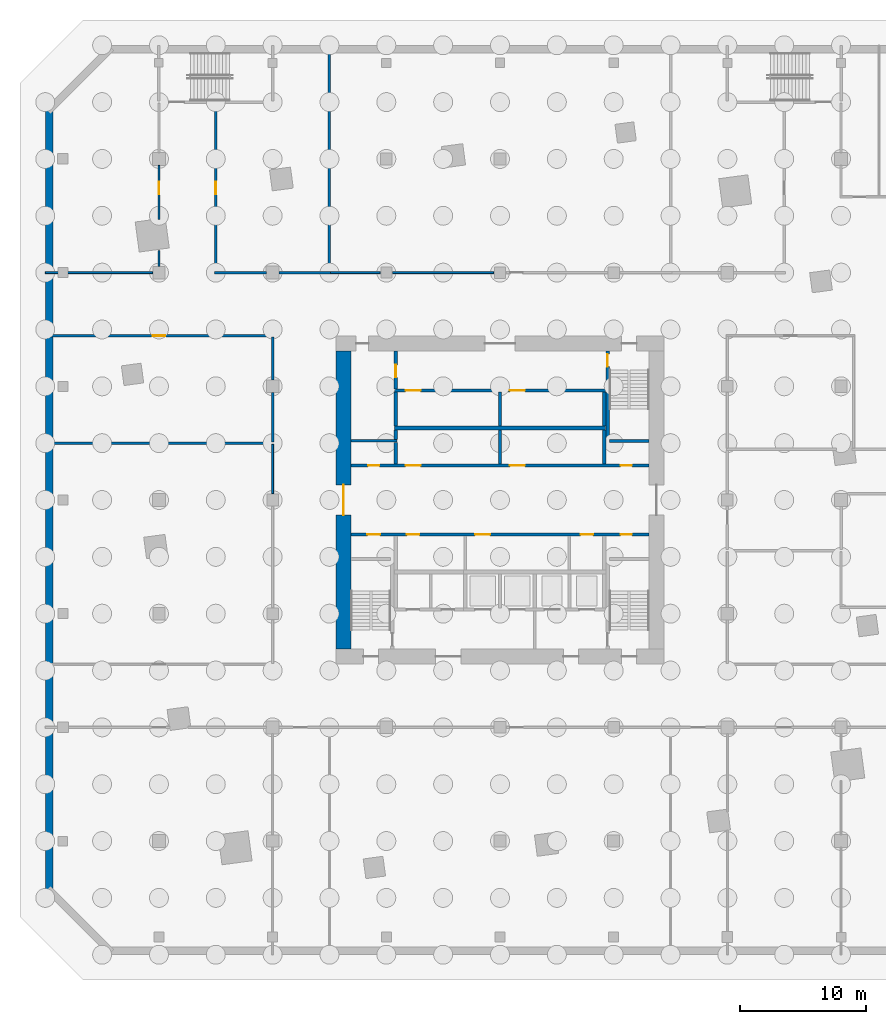
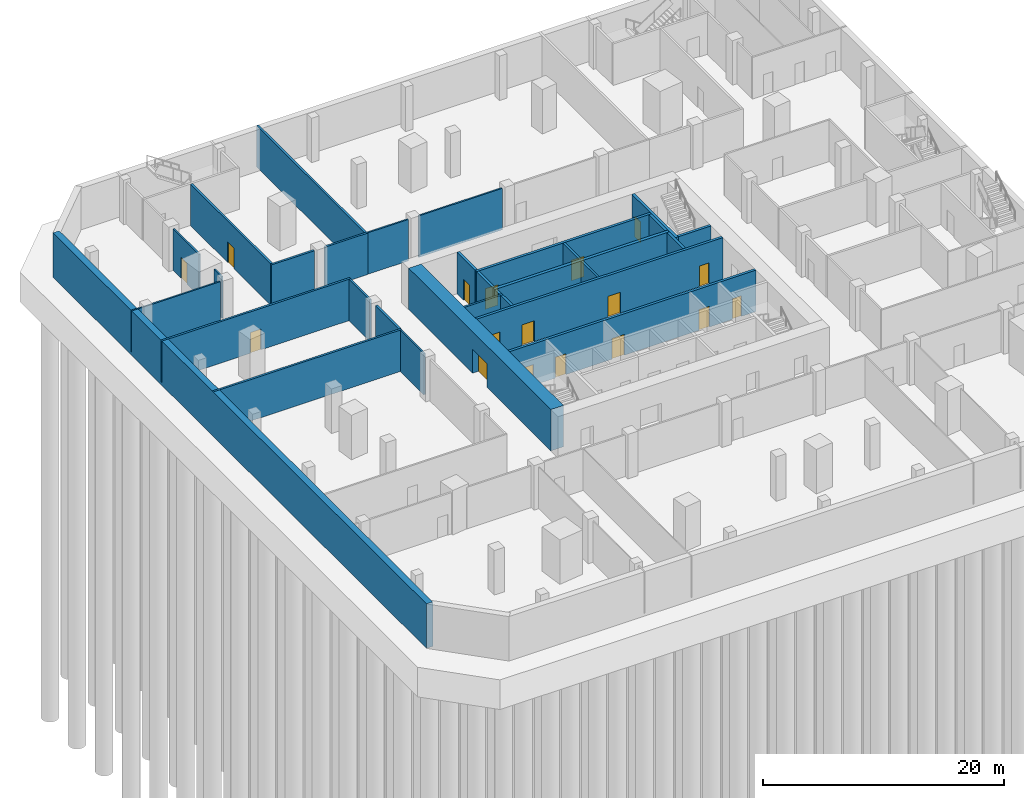
# One storey, part 5 of 12: 31 walls, 17 doors, 17 openings.
"""IFC4 building model written with IfcOpenShell, lengths in metres."""

from ifc_helpers import new_model, si_unit, direction, frame, frame_2d, origin, place, context, subcontext, project, spatial, rectangle, extrude, material, layer, layer_set, type_object, element, fill, save


model = new_model("IFC4")

# Units and contexts
model_context = context("Model", 3, precision=1e-05, world=origin(), true_north=direction((0.0, 1.0)))
body_context = subcontext(model_context, "Body", "Model", "MODEL_VIEW")
ifc_project = project(units=[si_unit("LENGTHUNIT", "METRE"), si_unit("AREAUNIT", "SQUARE_METRE"), si_unit("VOLUMEUNIT", "CUBIC_METRE"), si_unit("PLANEANGLEUNIT", "RADIAN"), si_unit("MASSUNIT", "GRAM", prefix="KILO")], contexts=[model_context])

# Site, building, storey
site_placement = place(None, origin())
site = spatial("IfcSite", under=ifc_project, at=site_placement, CompositionType="ELEMENT")
building_placement = place(site_placement, origin())
building = spatial("IfcBuilding", under=site, at=building_placement, Name="Dilmun Exchange Tower", CompositionType="ELEMENT")
storey_placement = place(building_placement, frame((0.0, 0.0, -9.0)))
storey = spatial("IfcBuildingStorey", under=building, at=storey_placement, Name="B2", CompositionType="ELEMENT", Elevation=-9.0)

# Walls
ifc_material_1 = material(Name="Concrete C40/50", Category="concrete")
ifc_layer_1 = layer(ifc_material_1, 0.199951171875)
ifc_layer_set_1 = layer_set([ifc_layer_1], Name="Concrete C40/50")
wall_type_1 = type_object("IfcWallType", Name="Core partition wall 200", PredefinedType="PARTITIONING", material=ifc_layer_set_1)
wall_1_placement = place(storey_placement, frame((0.0, 2.85498046875, 0.0), z_axis=(0.0, 0.0, 1.0), x_axis=(0.0, 1.0, 0.0)))
element("IfcWall", 1, at=wall_1_placement, inside=storey, type_object=wall_type_1, Name="B2 core partition wall 13", PredefinedType="PARTITIONING", context=body_context, shape_type="SweptSolid", body=[
    extrude(rectangle(XDim=2.68994140625, YDim=0.199951171875, at=frame_2d((1.344970703125, 0.0))), origin(), (0.0, 0.0, 1.0), 4.199951171875),
])
wall_2_placement = place(storey_placement, frame((-11.794921875, 4.675048828125, 0.0), z_axis=(0.0, 0.0, 1.0), x_axis=(1.0, 0.0, 0.0)))
element("IfcWall", 2, at=wall_2_placement, inside=storey, type_object=wall_type_1, Name="B2 core partition wall 15", PredefinedType="PARTITIONING", context=body_context, shape_type="SweptSolid", body=[
    extrude(rectangle(XDim=3.64501953125, YDim=0.199951171875, at=frame_2d((1.822509765625, 0.0))), origin(), (0.0, 0.0, 1.0), 4.199951171875),
])
wall_3_placement = place(storey_placement, frame((0.0, 5.85498046875, 0.0), z_axis=(0.0, 0.0, 1.0), x_axis=(0.0, 1.0, 0.0)))
element("IfcWall", 3, at=wall_3_placement, inside=storey, type_object=wall_type_1, Name="B2 core partition wall 19", PredefinedType="PARTITIONING", context=body_context, shape_type="SweptSolid", body=[
    extrude(rectangle(XDim=2.68994140625, YDim=0.199951171875, at=frame_2d((1.344970703125, 0.0))), origin(), (0.0, 0.0, 1.0), 4.199951171875),
])

# Wall, openings, doors
ifc_layer_2 = layer(ifc_material_1, 0.25)
ifc_layer_set_2 = layer_set([ifc_layer_2], Name="Concrete C40/50")
wall_type_2 = type_object("IfcWallType", Name="Core partition wall 250", PredefinedType="PARTITIONING", material=ifc_layer_set_2)
wall_4_placement = place(storey_placement, frame((-11.794921875, -2.72509765625, 0.0), z_axis=(0.0, 0.0, 1.0), x_axis=(1.0, 0.0, 0.0)))
wall_4 = element("IfcWall", 4, at=wall_4_placement, inside=storey, type_object=wall_type_2, Name="B2 core partition wall 10", PredefinedType="PARTITIONING", context=body_context, shape_type="SweptSolid", body=[
    extrude(rectangle(XDim=23.58984375, YDim=0.25, at=frame_2d((11.794921875, 0.0))), origin(), (0.0, 0.0, 1.0), 4.199951171875),
])
opening_1_placement = place(wall_4_placement, frame((1.294921875, 0.0, 0.0)))
opening_1 = element("IfcOpeningElement", 5, at=opening_1_placement, cuts=wall_4, Name="Opening CD4", PredefinedType="OPENING", context=body_context, shape_type="SweptSolid", body=[
    extrude(rectangle(XDim=1.0, YDim=2.10009765625, at=frame_2d((0.5, 1.050048828125))), frame((0.0, 0.135009765625, 0.0), z_axis=(0.0, -1.0, 0.0), x_axis=(1.0, 0.0, 0.0)), (0.0, 0.0, 1.0), 0.27001953125),
])
opening_2_placement = place(wall_4_placement, frame((18.169921875, 0.0, 0.0)))
opening_2 = element("IfcOpeningElement", 6, at=opening_2_placement, cuts=wall_4, Name="Opening CD4", PredefinedType="OPENING", context=body_context, shape_type="SweptSolid", body=[
    extrude(rectangle(XDim=1.0, YDim=2.10009765625, at=frame_2d((0.5, 1.050048828125))), frame((0.0, 0.135009765625, 0.0), z_axis=(0.0, -1.0, 0.0), x_axis=(1.0, 0.0, 0.0)), (0.0, 0.0, 1.0), 0.27001953125),
])
opening_3_placement = place(wall_4_placement, frame((21.344970703125, 0.0, 0.0)))
opening_3 = element("IfcOpeningElement", 7, at=opening_3_placement, cuts=wall_4, Name="Opening CD6", PredefinedType="OPENING", context=body_context, shape_type="SweptSolid", body=[
    extrude(rectangle(XDim=0.89990234375, YDim=2.10009765625, at=frame_2d((0.449951171875, 1.050048828125))), frame((0.0, 0.135009765625, 0.0), z_axis=(0.0, -1.0, 0.0), x_axis=(1.0, 0.0, 0.0)), (0.0, 0.0, 1.0), 0.27001953125),
])
opening_4_placement = place(wall_4_placement, frame((4.419921875, 0.0, 0.0)))
opening_4 = element("IfcOpeningElement", 8, at=opening_4_placement, cuts=wall_4, Name="Opening CD4", PredefinedType="OPENING", context=body_context, shape_type="SweptSolid", body=[
    extrude(rectangle(XDim=1.0, YDim=2.10009765625, at=frame_2d((0.5, 1.050048828125))), frame((0.0, 0.135009765625, 0.0), z_axis=(0.0, -1.0, 0.0), x_axis=(1.0, 0.0, 0.0)), (0.0, 0.0, 1.0), 0.27001953125),
])
opening_5_placement = place(wall_4_placement, frame((9.820068359375, 0.0, 0.0)))
opening_5 = element("IfcOpeningElement", 9, at=opening_5_placement, cuts=wall_4, Name="Opening CD3", PredefinedType="OPENING", context=body_context, shape_type="SweptSolid", body=[
    extrude(rectangle(XDim=1.199951171875, YDim=2.10009765625, at=frame_2d((0.60009765625, 1.050048828125))), frame((0.0, 0.135009765625, 0.0), z_axis=(0.0, -1.0, 0.0), x_axis=(1.0, 0.0, 0.0)), (0.0, 0.0, 1.0), 0.27001953125),
])
ifc_material_2 = material(Name="Fire-rated steel door set", Category="steel")
door_type_1 = type_object("IfcDoorType", Name="Core room door 1000x2100", OperationType="SINGLE_SWING_LEFT", PredefinedType="DOOR", material=ifc_material_2)
door_1_placement = place(opening_1_placement, origin())
door_1 = element("IfcDoor", 10, at=door_1_placement, inside=storey, type_object=door_type_1, Name="B2 door Accessible WC", OperationType="SINGLE_SWING_LEFT", OverallHeight=2.10009765625, OverallWidth=1.0, PredefinedType="DOOR", context=body_context, shape_type="SweptSolid", body=[
    extrude(rectangle(XDim=1.0, YDim=2.10009765625, at=frame_2d((0.5, 1.050048828125))), frame((0.0, 0.02490234375, 0.0), z_axis=(0.0, -1.0, 0.0), x_axis=(1.0, 0.0, 0.0)), (0.0, 0.0, 1.0), 0.050048828125),
])
fill(opening_1, door_1)
door_2_placement = place(opening_2_placement, origin())
door_2 = element("IfcDoor", 11, at=door_2_placement, inside=storey, type_object=door_type_1, Name="B2 door Cleaners' store", OperationType="SINGLE_SWING_LEFT", OverallHeight=2.10009765625, OverallWidth=1.0, PredefinedType="DOOR", context=body_context, shape_type="SweptSolid", body=[
    extrude(rectangle(XDim=1.0, YDim=2.10009765625, at=frame_2d((0.5, 1.050048828125))), frame((0.0, 0.02490234375, 0.0), z_axis=(0.0, -1.0, 0.0), x_axis=(1.0, 0.0, 0.0)), (0.0, 0.0, 1.0), 0.050048828125),
])
fill(opening_2, door_2)
door_3_placement = place(opening_4_placement, origin())
door_3 = element("IfcDoor", 12, at=door_3_placement, inside=storey, type_object=door_type_1, Name="B2 door Archive store", OperationType="SINGLE_SWING_LEFT", OverallHeight=2.10009765625, OverallWidth=1.0, PredefinedType="DOOR", context=body_context, shape_type="SweptSolid", body=[
    extrude(rectangle(XDim=1.0, YDim=2.10009765625, at=frame_2d((0.5, 1.050048828125))), frame((0.0, 0.02490234375, 0.0), z_axis=(0.0, -1.0, 0.0), x_axis=(1.0, 0.0, 0.0)), (0.0, 0.0, 1.0), 0.050048828125),
])
fill(opening_4, door_3)
door_type_2 = type_object("IfcDoorType", Name="Core room door 900x2100", OperationType="SINGLE_SWING_LEFT", PredefinedType="DOOR", material=ifc_material_2)
door_4_placement = place(opening_3_placement, origin())
door_4 = element("IfcDoor", 13, at=door_4_placement, inside=storey, type_object=door_type_2, Name="B2 door Comms riser", OperationType="SINGLE_SWING_LEFT", OverallHeight=2.10009765625, OverallWidth=0.89990234375, PredefinedType="DOOR", context=body_context, shape_type="SweptSolid", body=[
    extrude(rectangle(XDim=0.89990234375, YDim=2.10009765625, at=frame_2d((0.449951171875, 1.050048828125))), frame((0.0, 0.02490234375, 0.0), z_axis=(0.0, -1.0, 0.0), x_axis=(1.0, 0.0, 0.0)), (0.0, 0.0, 1.0), 0.050048828125),
])
fill(opening_3, door_4)
door_type_3 = type_object("IfcDoorType", Name="Stair exit door 1200x2100", OperationType="SINGLE_SWING_LEFT", PredefinedType="DOOR", material=ifc_material_2)
door_5_placement = place(opening_5_placement, origin())
door_5 = element("IfcDoor", 14, at=door_5_placement, inside=storey, type_object=door_type_3, Name="B2 door Building management office", OperationType="SINGLE_SWING_LEFT", OverallHeight=2.10009765625, OverallWidth=1.199951171875, PredefinedType="DOOR", context=body_context, shape_type="SweptSolid", body=[
    extrude(rectangle(XDim=1.199951171875, YDim=2.10009765625, at=frame_2d((0.60009765625, 1.050048828125))), frame((0.0, 0.02490234375, 0.0), z_axis=(0.0, -1.0, 0.0), x_axis=(1.0, 0.0, 0.0)), (0.0, 0.0, 1.0), 0.050048828125),
])
fill(opening_5, door_5)

wall_5_placement = place(storey_placement, frame((-11.794921875, 2.72509765625, 0.0), z_axis=(0.0, 0.0, 1.0), x_axis=(1.0, 0.0, 0.0)))
wall_5 = element("IfcWall", 15, at=wall_5_placement, inside=storey, type_object=wall_type_2, Name="B2 core partition wall 11", PredefinedType="PARTITIONING", context=body_context, shape_type="SweptSolid", body=[
    extrude(rectangle(XDim=23.58984375, YDim=0.25, at=frame_2d((11.794921875, 0.0))), origin(), (0.0, 0.0, 1.0), 4.199951171875),
])
opening_6_placement = place(wall_5_placement, frame((21.344970703125, 0.0, 0.0)))
opening_6 = element("IfcOpeningElement", 16, at=opening_6_placement, cuts=wall_5, Name="Opening CD6", PredefinedType="OPENING", context=body_context, shape_type="SweptSolid", body=[
    extrude(rectangle(XDim=0.89990234375, YDim=2.10009765625, at=frame_2d((0.449951171875, 1.050048828125))), frame((0.0, 0.135009765625, 0.0), z_axis=(0.0, -1.0, 0.0), x_axis=(1.0, 0.0, 0.0)), (0.0, 0.0, 1.0), 0.27001953125),
])
opening_7_placement = place(wall_5_placement, frame((1.344970703125, 0.0, 0.0)))
opening_7 = element("IfcOpeningElement", 17, at=opening_7_placement, cuts=wall_5, Name="Opening CD6", PredefinedType="OPENING", context=body_context, shape_type="SweptSolid", body=[
    extrude(rectangle(XDim=0.89990234375, YDim=2.10009765625, at=frame_2d((0.449951171875, 1.050048828125))), frame((0.0, 0.135009765625, 0.0), z_axis=(0.0, -1.0, 0.0), x_axis=(1.0, 0.0, 0.0)), (0.0, 0.0, 1.0), 0.27001953125),
])
opening_8_placement = place(wall_5_placement, frame((4.320068359375, 0.0, 0.0)))
opening_8 = element("IfcOpeningElement", 18, at=opening_8_placement, cuts=wall_5, Name="Opening CD3", PredefinedType="OPENING", context=body_context, shape_type="SweptSolid", body=[
    extrude(rectangle(XDim=1.199951171875, YDim=2.10009765625, at=frame_2d((0.60009765625, 1.050048828125))), frame((0.0, 0.135009765625, 0.0), z_axis=(0.0, -1.0, 0.0), x_axis=(1.0, 0.0, 0.0)), (0.0, 0.0, 1.0), 0.27001953125),
])
opening_9_placement = place(wall_5_placement, frame((12.570068359375, 0.0, 0.0)))
opening_9 = element("IfcOpeningElement", 19, at=opening_9_placement, cuts=wall_5, Name="Opening CD3", PredefinedType="OPENING", context=body_context, shape_type="SweptSolid", body=[
    extrude(rectangle(XDim=1.199951171875, YDim=2.10009765625, at=frame_2d((0.60009765625, 1.050048828125))), frame((0.0, 0.135009765625, 0.0), z_axis=(0.0, -1.0, 0.0), x_axis=(1.0, 0.0, 0.0)), (0.0, 0.0, 1.0), 0.27001953125),
])
door_6_placement = place(opening_6_placement, origin())
door_6 = element("IfcDoor", 20, at=door_6_placement, inside=storey, type_object=door_type_2, Name="B2 door Electrical riser", OperationType="SINGLE_SWING_LEFT", OverallHeight=2.10009765625, OverallWidth=0.89990234375, PredefinedType="DOOR", context=body_context, shape_type="SweptSolid", body=[
    extrude(rectangle(XDim=0.89990234375, YDim=2.10009765625, at=frame_2d((0.449951171875, 1.050048828125))), frame((0.0, 0.02490234375, 0.0), z_axis=(0.0, -1.0, 0.0), x_axis=(1.0, 0.0, 0.0)), (0.0, 0.0, 1.0), 0.050048828125),
])
fill(opening_6, door_6)
door_7_placement = place(opening_7_placement, origin())
door_7 = element("IfcDoor", 21, at=door_7_placement, inside=storey, type_object=door_type_2, Name="B2 door Plumbing riser", OperationType="SINGLE_SWING_LEFT", OverallHeight=2.10009765625, OverallWidth=0.89990234375, PredefinedType="DOOR", context=body_context, shape_type="SweptSolid", body=[
    extrude(rectangle(XDim=0.89990234375, YDim=2.10009765625, at=frame_2d((0.449951171875, 1.050048828125))), frame((0.0, 0.02490234375, 0.0), z_axis=(0.0, -1.0, 0.0), x_axis=(1.0, 0.0, 0.0)), (0.0, 0.0, 1.0), 0.050048828125),
])
fill(opening_7, door_7)
door_8_placement = place(opening_8_placement, origin())
door_8 = element("IfcDoor", 22, at=door_8_placement, inside=storey, type_object=door_type_3, Name="B2 door Building management office", OperationType="SINGLE_SWING_LEFT", OverallHeight=2.10009765625, OverallWidth=1.199951171875, PredefinedType="DOOR", context=body_context, shape_type="SweptSolid", body=[
    extrude(rectangle(XDim=1.199951171875, YDim=2.10009765625, at=frame_2d((0.60009765625, 1.050048828125))), frame((0.0, 0.02490234375, 0.0), z_axis=(0.0, -1.0, 0.0), x_axis=(1.0, 0.0, 0.0)), (0.0, 0.0, 1.0), 0.050048828125),
])
fill(opening_8, door_8)
door_9_placement = place(opening_9_placement, origin())
door_9 = element("IfcDoor", 23, at=door_9_placement, inside=storey, type_object=door_type_3, Name="B2 door Tenant meeting suite", OperationType="SINGLE_SWING_LEFT", OverallHeight=2.10009765625, OverallWidth=1.199951171875, PredefinedType="DOOR", context=body_context, shape_type="SweptSolid", body=[
    extrude(rectangle(XDim=1.199951171875, YDim=2.10009765625, at=frame_2d((0.60009765625, 1.050048828125))), frame((0.0, 0.02490234375, 0.0), z_axis=(0.0, -1.0, 0.0), x_axis=(1.0, 0.0, 0.0)), (0.0, 0.0, 1.0), 0.050048828125),
])
fill(opening_9, door_9)

# Walls
wall_6_placement = place(storey_placement, frame((-8.25, 2.85498046875, 0.0), z_axis=(0.0, 0.0, 1.0), x_axis=(0.0, 1.0, 0.0)))
element("IfcWall", 24, at=wall_6_placement, inside=storey, type_object=wall_type_2, Name="B2 core partition wall 12", PredefinedType="PARTITIONING", context=body_context, shape_type="SweptSolid", body=[
    extrude(rectangle(XDim=1.715087890625, YDim=0.25, at=frame_2d((0.857421875, 0.0))), origin(), (0.0, 0.0, 1.0), 4.199951171875),
])
wall_7_placement = place(storey_placement, frame((8.25, 2.85498046875, 0.0), z_axis=(0.0, 0.0, 1.0), x_axis=(0.0, 1.0, 0.0)))
element("IfcWall", 25, at=wall_7_placement, inside=storey, type_object=wall_type_2, Name="B2 core partition wall 14", PredefinedType="PARTITIONING", context=body_context, shape_type="SweptSolid", body=[
    extrude(rectangle(XDim=2.68994140625, YDim=0.25, at=frame_2d((1.344970703125, 0.0))), origin(), (0.0, 0.0, 1.0), 4.199951171875),
])
wall_8_placement = place(storey_placement, frame((-8.25, 4.780029296875, 0.0), z_axis=(0.0, 0.0, 1.0), x_axis=(0.0, 1.0, 0.0)))
element("IfcWall", 26, at=wall_8_placement, inside=storey, type_object=wall_type_2, Name="B2 core partition wall 16", PredefinedType="PARTITIONING", context=body_context, shape_type="SweptSolid", body=[
    extrude(rectangle(XDim=0.764892578125, YDim=0.25, at=frame_2d((0.38232421875, 0.0))), origin(), (0.0, 0.0, 1.0), 4.199951171875),
])
for number, where, z_axis, x_axis, name in (
    (27, (-8.25, 5.85498046875, 0.0), (0.0, 0.0, 1.0), (0.0, 1.0, 0.0), "B2 core partition wall 18"),
    (28, (8.25, 5.85498046875, 0.0), (0.0, 0.0, 1.0), (0.0, 1.0, 0.0), "B2 core partition wall 20"),
):
    element("IfcWall", number, at=place(storey_placement, frame(where, z_axis=z_axis, x_axis=x_axis)), inside=storey, type_object=wall_type_2, Name=name, PredefinedType="PARTITIONING", context=body_context, shape_type="SweptSolid", body=[
        extrude(rectangle(XDim=2.68994140625, YDim=0.25, at=frame_2d((1.344970703125, 0.0))), origin(), (0.0, 0.0, 1.0), 4.199951171875),
    ])

# Wall, openings, doors
wall_9_placement = place(storey_placement, frame((-8.35009765625, 8.675048828125, 0.0), z_axis=(0.0, 0.0, 1.0), x_axis=(1.0, 0.0, 0.0)))
wall_9 = element("IfcWall", 29, at=wall_9_placement, inside=storey, type_object=wall_type_2, Name="B2 core partition wall 21", PredefinedType="PARTITIONING", context=body_context, shape_type="SweptSolid", body=[
    extrude(rectangle(XDim=16.72021484375, YDim=0.25, at=frame_2d((8.360107421875, 0.0))), origin(), (0.0, 0.0, 1.0), 4.199951171875),
])
opening_10_placement = place(wall_9_placement, frame((0.875, 0.0, 0.0)))
opening_10 = element("IfcOpeningElement", 30, at=opening_10_placement, cuts=wall_9, Name="Opening CD3", PredefinedType="OPENING", context=body_context, shape_type="SweptSolid", body=[
    extrude(rectangle(XDim=1.199951171875, YDim=2.10009765625, at=frame_2d((0.60009765625, 1.050048828125))), frame((0.0, 0.135009765625, 0.0), z_axis=(0.0, -1.0, 0.0), x_axis=(1.0, 0.0, 0.0)), (0.0, 0.0, 1.0), 0.27001953125),
])
opening_11_placement = place(wall_9_placement, frame((9.125, 0.0, 0.0)))
opening_11 = element("IfcOpeningElement", 31, at=opening_11_placement, cuts=wall_9, Name="Opening CD3", PredefinedType="OPENING", context=body_context, shape_type="SweptSolid", body=[
    extrude(rectangle(XDim=1.199951171875, YDim=2.10009765625, at=frame_2d((0.60009765625, 1.050048828125))), frame((0.0, 0.135009765625, 0.0), z_axis=(0.0, -1.0, 0.0), x_axis=(1.0, 0.0, 0.0)), (0.0, 0.0, 1.0), 0.27001953125),
])
door_10_placement = place(opening_10_placement, origin())
door_10 = element("IfcDoor", 32, at=door_10_placement, inside=storey, type_object=door_type_3, Name="B2 door Tenant meeting suite", OperationType="SINGLE_SWING_LEFT", OverallHeight=2.10009765625, OverallWidth=1.199951171875, PredefinedType="DOOR", context=body_context, shape_type="SweptSolid", body=[
    extrude(rectangle(XDim=1.199951171875, YDim=2.10009765625, at=frame_2d((0.60009765625, 1.050048828125))), frame((0.0, 0.02490234375, 0.0), z_axis=(0.0, -1.0, 0.0), x_axis=(1.0, 0.0, 0.0)), (0.0, 0.0, 1.0), 0.050048828125),
])
fill(opening_10, door_10)
door_11_placement = place(opening_11_placement, origin())
door_11 = element("IfcDoor", 33, at=door_11_placement, inside=storey, type_object=door_type_3, Name="B2 door Tenant amenity store", OperationType="SINGLE_SWING_LEFT", OverallHeight=2.10009765625, OverallWidth=1.199951171875, PredefinedType="DOOR", context=body_context, shape_type="SweptSolid", body=[
    extrude(rectangle(XDim=1.199951171875, YDim=2.10009765625, at=frame_2d((0.60009765625, 1.050048828125))), frame((0.0, 0.02490234375, 0.0), z_axis=(0.0, -1.0, 0.0), x_axis=(1.0, 0.0, 0.0)), (0.0, 0.0, 1.0), 0.050048828125),
])
fill(opening_11, door_11)

# Wall, opening, door
wall_10_placement = place(storey_placement, frame((-8.25, 8.804931640625, 0.0), z_axis=(0.0, 0.0, 1.0), x_axis=(0.0, 1.0, 0.0)))
wall_10 = element("IfcWall", 34, at=wall_10_placement, inside=storey, type_object=wall_type_2, Name="B2 core partition wall 22", PredefinedType="PARTITIONING", context=body_context, shape_type="SweptSolid", body=[
    extrude(rectangle(XDim=2.989990234375, YDim=0.25, at=frame_2d((1.4951171875, 0.0))), origin(), (0.0, 0.0, 1.0), 4.199951171875),
])
opening_12_placement = place(wall_10_placement, frame((0.89501953125, 0.0, 0.0)))
opening_12 = element("IfcOpeningElement", 35, at=opening_12_placement, cuts=wall_10, Name="Opening CD4", PredefinedType="OPENING", context=body_context, shape_type="SweptSolid", body=[
    extrude(rectangle(XDim=1.0, YDim=2.10009765625, at=frame_2d((0.5, 1.050048828125))), frame((0.0, 0.135009765625, 0.0), z_axis=(0.0, -1.0, 0.0), x_axis=(1.0, 0.0, 0.0)), (0.0, 0.0, 1.0), 0.27001953125),
])
door_12_placement = place(opening_12_placement, origin())
door_12 = element("IfcDoor", 36, at=door_12_placement, inside=storey, type_object=door_type_1, Name="B2 door Building services room", OperationType="SINGLE_SWING_LEFT", OverallHeight=2.10009765625, OverallWidth=1.0, PredefinedType="DOOR", context=body_context, shape_type="SweptSolid", body=[
    extrude(rectangle(XDim=1.0, YDim=2.10009765625, at=frame_2d((0.5, 1.050048828125))), frame((0.0, 0.02490234375, 0.0), z_axis=(0.0, -1.0, 0.0), x_axis=(1.0, 0.0, 0.0)), (0.0, 0.0, 1.0), 0.050048828125),
])
fill(opening_12, door_12)

# Wall
ifc_layer_3 = layer(ifc_material_1, 0.300048828125)
ifc_layer_set_3 = layer_set([ifc_layer_3], Name="Concrete C40/50")
wall_type_3 = type_object("IfcWallType", Name="Core partition wall 300", PredefinedType="PARTITIONING", material=ifc_layer_set_3)
wall_11_placement = place(storey_placement, frame((-8.35009765625, 5.699951171875, 0.0), z_axis=(0.0, 0.0, 1.0), x_axis=(1.0, 0.0, 0.0)))
element("IfcWall", 37, at=wall_11_placement, inside=storey, type_object=wall_type_3, Name="B2 core partition wall 17", PredefinedType="PARTITIONING", context=body_context, shape_type="SweptSolid", body=[
    extrude(rectangle(XDim=16.7001953125, YDim=0.300048828125, at=frame_2d((8.35009765625, 0.0))), origin(), (0.0, 0.0, 1.0), 4.199951171875),
])

# Wall, opening, door
ifc_material_3 = material(Name="Concrete C80/95", Category="concrete")
ifc_layer_4 = layer(ifc_material_3, 1.199951171875)
ifc_layer_set_4 = layer_set([ifc_layer_4], Name="Concrete C80/95")
wall_type_4 = type_object("IfcWallType", Name="Core shear wall 1200 Concrete C80/95", PredefinedType="SHEAR", material=ifc_layer_set_4)
wall_12_placement = place(storey_placement, frame((-12.39990234375, -11.800048828125, 0.0), z_axis=(0.0, 0.0, 1.0), x_axis=(0.0, 1.0, 0.0)))
wall_12 = element("IfcWall", 38, at=wall_12_placement, inside=storey, type_object=wall_type_4, Name="B2 core shear wall W", PredefinedType="SHEAR", context=body_context, shape_type="SweptSolid", body=[
    extrude(rectangle(XDim=23.60009765625, YDim=1.199951171875, at=frame_2d((11.800048828125, 0.0))), origin(), (0.0, 0.0, 1.0), 4.199951171875),
])
opening_13_placement = place(wall_12_placement, frame((10.60009765625, 0.0, 0.0)))
opening_13 = element("IfcOpeningElement", 39, at=opening_13_placement, cuts=wall_12, Name="Opening CD1", PredefinedType="OPENING", context=body_context, shape_type="SweptSolid", body=[
    extrude(rectangle(XDim=2.39990234375, YDim=2.39990234375, at=frame_2d((1.199951171875, 1.199951171875))), frame((0.0, 0.60986328125, 0.0), z_axis=(0.0, -1.0, 0.0), x_axis=(1.0, 0.0, 0.0)), (0.0, 0.0, 1.0), 1.219970703125),
])
door_type_4 = type_object("IfcDoorType", Name="Core lobby door 2400x2400", OperationType="DOUBLE_DOOR_DOUBLE_SWING", PredefinedType="DOOR", material=ifc_material_2)
door_13_placement = place(opening_13_placement, origin())
door_13 = element("IfcDoor", 40, at=door_13_placement, inside=storey, type_object=door_type_4, Name="B2 door Central lift lobby", OperationType="SINGLE_SWING_LEFT", OverallHeight=2.39990234375, OverallWidth=2.39990234375, PredefinedType="DOOR", context=body_context, shape_type="SweptSolid", body=[
    extrude(rectangle(XDim=2.39990234375, YDim=2.39990234375, at=frame_2d((1.199951171875, 1.199951171875))), frame((0.0, 0.02490234375, 0.0), z_axis=(0.0, -1.0, 0.0), x_axis=(1.0, 0.0, 0.0)), (0.0, 0.0, 1.0), 0.050048828125),
])
fill(opening_13, door_13)

# Walls
ifc_material_4 = material(Name="Fire partition EI 60 150 gypsum")
ifc_layer_5 = layer(ifc_material_4, 0.14990234375)
ifc_layer_set_5 = layer_set([ifc_layer_5], Name="Fire partition EI 60 150 gypsum")
wall_type_5 = type_object("IfcWallType", Name="Fire partition EI 60 150 gypsum", PredefinedType="PARTITIONING", material=ifc_layer_set_5)
wall_13_placement = place(storey_placement, frame((-36.0, 18.0, 0.0), z_axis=(0.0, 0.0, 1.0), x_axis=(1.0, 0.0, 0.0)))
element("IfcWall", 41, at=wall_13_placement, inside=storey, type_object=wall_type_5, Name="B2 partition", PredefinedType="PARTITIONING", context=body_context, shape_type="SweptSolid", body=[
    extrude(rectangle(XDim=8.5, YDim=0.14990234375, at=frame_2d((4.25, 0.0))), origin(), (0.0, 0.0, 1.0), 4.199951171875),
])
wall_14_placement = place(storey_placement, frame((-13.39990234375, 18.0, 0.0), z_axis=(0.0, 0.0, 1.0), x_axis=(1.0, 0.0, 0.0)))
element("IfcWall", 42, at=wall_14_placement, inside=storey, type_object=wall_type_5, Name="B2 partition", PredefinedType="PARTITIONING", context=body_context, shape_type="SweptSolid", body=[
    extrude(rectangle(XDim=3.89990234375, YDim=0.14990234375, at=frame_2d((1.949951171875, 0.0))), origin(), (0.0, 0.0, 1.0), 4.199951171875),
])
wall_15_placement = place(storey_placement, frame((-8.5, 18.0, 0.0), z_axis=(0.0, 0.0, 1.0), x_axis=(1.0, 0.0, 0.0)))
element("IfcWall", 43, at=wall_15_placement, inside=storey, type_object=wall_type_5, Name="B2 partition", PredefinedType="PARTITIONING", context=body_context, shape_type="SweptSolid", body=[
    extrude(rectangle(XDim=8.0, YDim=0.14990234375, at=frame_2d((4.0, 0.0))), origin(), (0.0, 0.0, 1.0), 4.199951171875),
])
wall_16_placement = place(storey_placement, frame((-27.0, 18.5, 0.0), z_axis=(0.0, 0.0, 1.0), x_axis=(0.0, 1.0, 0.0)))
element("IfcWall", 44, at=wall_16_placement, inside=storey, type_object=wall_type_5, Name="B2 partition", PredefinedType="PARTITIONING", context=body_context, shape_type="SweptSolid", body=[
    extrude(rectangle(XDim=1.24169921875, YDim=0.14990234375, at=frame_2d((0.620849609375, 0.0))), origin(), (0.0, 0.0, 1.0), 4.199951171875),
])

# Wall, opening, door
wall_17_placement = place(storey_placement, frame((-27.0, 22.21630859375, 0.0), z_axis=(0.0, 0.0, 1.0), x_axis=(0.0, 1.0, 0.0)))
wall_17 = element("IfcWall", 45, at=wall_17_placement, inside=storey, type_object=wall_type_5, Name="B2 partition", PredefinedType="PARTITIONING", context=body_context, shape_type="SweptSolid", body=[
    extrude(rectangle(XDim=4.28369140625, YDim=0.14990234375, at=frame_2d((2.141845703125, 0.0))), origin(), (0.0, 0.0, 1.0), 4.199951171875),
])
opening_14_placement = place(wall_17_placement, frame((1.983642578125, 0.0, 0.0)))
opening_14 = element("IfcOpeningElement", 46, at=opening_14_placement, cuts=wall_17, Name="Opening B2-D008", PredefinedType="OPENING", context=body_context, shape_type="SweptSolid", body=[
    extrude(rectangle(XDim=1.0, YDim=2.10009765625, at=frame_2d((0.5, 1.050048828125))), frame((0.0, 0.0849609375, 0.0), z_axis=(0.0, -1.0, 0.0), x_axis=(1.0, 0.0, 0.0)), (0.0, 0.0, 1.0), 0.169921875),
])
ifc_material_5 = material(Name="Fire door FD60 1000 x 2100")
door_type_5 = type_object("IfcDoorType", Name="Fire door FD60 1000 x 2100", OperationType="SINGLE_SWING_LEFT", PredefinedType="DOOR", material=ifc_material_5)
door_14_placement = place(opening_14_placement, origin())
door_14 = element("IfcDoor", 47, at=door_14_placement, inside=storey, type_object=door_type_5, Name="B2 door B2-D008", OperationType="SINGLE_SWING_RIGHT", OverallHeight=2.10009765625, OverallWidth=1.0, PredefinedType="DOOR", context=body_context, shape_type="SweptSolid", body=[
    extrude(rectangle(XDim=1.0, YDim=2.10009765625, at=frame_2d((0.5, 1.050048828125))), frame((0.0, 0.02490234375, 0.0), z_axis=(0.0, -1.0, 0.0), x_axis=(1.0, 0.0, 0.0)), (0.0, 0.0, 1.0), 0.050048828125),
])
fill(opening_14, door_14)

# Walls
wall_18_placement = place(storey_placement, frame((-18.0, 0.5, 0.0), z_axis=(0.0, 0.0, 1.0), x_axis=(0.0, 1.0, 0.0)))
element("IfcWall", 48, at=wall_18_placement, inside=storey, type_object=wall_type_5, Name="B2 partition", PredefinedType="PARTITIONING", context=body_context, shape_type="SweptSolid", body=[
    extrude(rectangle(XDim=3.89990234375, YDim=0.14990234375, at=frame_2d((1.949951171875, 0.0))), origin(), (0.0, 0.0, 1.0), 4.199951171875),
])
ifc_material_6 = material(Name="Fire wall EI 120 200 blockwork", Category="masonry")
ifc_layer_6 = layer(ifc_material_6, 0.199951171875)
ifc_layer_set_6 = layer_set([ifc_layer_6], Name="Fire wall EI 120 200 blockwork")
wall_type_6 = type_object("IfcWallType", Name="Fire wall EI 120 200 blockwork", PredefinedType="PARTITIONING", material=ifc_layer_set_6)
wall_19_placement = place(storey_placement, frame((-36.0, 4.5, 0.0), z_axis=(0.0, 0.0, 1.0), x_axis=(1.0, 0.0, 0.0)))
element("IfcWall", 49, at=wall_19_placement, inside=storey, type_object=wall_type_6, Name="B2 partition", PredefinedType="PARTITIONING", context=body_context, shape_type="SweptSolid", body=[
    extrude(rectangle(XDim=18.074951171875, YDim=0.199951171875, at=frame_2d((9.03759765625, 0.0))), origin(), (0.0, 0.0, 1.0), 4.199951171875),
])

# Wall, opening, door
wall_20_placement = place(storey_placement, frame((-36.0, 13.0, 0.0), z_axis=(0.0, 0.0, 1.0), x_axis=(1.0, 0.0, 0.0)))
wall_20 = element("IfcWall", 50, at=wall_20_placement, inside=storey, type_object=wall_type_6, Name="B2 partition", PredefinedType="PARTITIONING", context=body_context, shape_type="SweptSolid", body=[
    extrude(rectangle(XDim=18.10009765625, YDim=0.199951171875, at=frame_2d((9.050048828125, 0.0))), origin(), (0.0, 0.0, 1.0), 4.199951171875),
])
opening_15_placement = place(wall_20_placement, frame((8.5, 0.0, 0.0)))
opening_15 = element("IfcOpeningElement", 51, at=opening_15_placement, cuts=wall_20, Name="Opening B2-D017", PredefinedType="OPENING", context=body_context, shape_type="SweptSolid", body=[
    extrude(rectangle(XDim=1.0, YDim=2.10009765625, at=frame_2d((0.5, 1.050048828125))), frame((0.0, 0.10986328125, 0.0), z_axis=(0.0, -1.0, 0.0), x_axis=(1.0, 0.0, 0.0)), (0.0, 0.0, 1.0), 0.219970703125),
])
door_15_placement = place(opening_15_placement, origin())
door_15 = element("IfcDoor", 52, at=door_15_placement, inside=storey, type_object=door_type_5, Name="B2 door B2-D017", OperationType="SINGLE_SWING_LEFT", OverallHeight=2.10009765625, OverallWidth=1.0, PredefinedType="DOOR", context=body_context, shape_type="SweptSolid", body=[
    extrude(rectangle(XDim=1.0, YDim=2.10009765625, at=frame_2d((0.5, 1.050048828125))), frame((0.0, 0.02490234375, 0.0), z_axis=(0.0, -1.0, 0.0), x_axis=(1.0, 0.0, 0.0)), (0.0, 0.0, 1.0), 0.050048828125),
])
fill(opening_15, door_15)

# Walls
for number, where, z_axis, x_axis, name in (
    (53, (-22.60009765625, 18.0, 0.0), (0.0, 0.0, 1.0), (1.0, 0.0, 0.0), "B2 partition"),
    (54, (-17.5, 18.0, 0.0), (0.0, 0.0, 1.0), (1.0, 0.0, 0.0), "B2 partition"),
):
    element("IfcWall", number, at=place(storey_placement, frame(where, z_axis=z_axis, x_axis=x_axis)), inside=storey, type_object=wall_type_6, Name=name, PredefinedType="PARTITIONING", context=body_context, shape_type="SweptSolid", body=[
        extrude(rectangle(XDim=4.10009765625, YDim=0.199951171875, at=frame_2d((2.050048828125, 0.0))), origin(), (0.0, 0.0, 1.0), 4.199951171875),
    ])

# Wall, opening, door
wall_21_placement = place(storey_placement, frame((-22.5, 18.10009765625, 0.0), z_axis=(0.0, 0.0, 1.0), x_axis=(0.0, 1.0, 0.0)))
wall_21 = element("IfcWall", 55, at=wall_21_placement, inside=storey, type_object=wall_type_6, Name="B2 partition", PredefinedType="PARTITIONING", context=body_context, shape_type="SweptSolid", body=[
    extrude(rectangle(XDim=13.2998046875, YDim=0.199951171875, at=frame_2d((6.64990234375, 0.0))), origin(), (0.0, 0.0, 1.0), 4.199951171875),
])
opening_16_placement = place(wall_21_placement, frame((6.10009765625, 0.0, 0.0)))
opening_16 = element("IfcOpeningElement", 56, at=opening_16_placement, cuts=wall_21, Name="Opening B2-D021", PredefinedType="OPENING", context=body_context, shape_type="SweptSolid", body=[
    extrude(rectangle(XDim=1.0, YDim=2.10009765625, at=frame_2d((0.5, 1.050048828125))), frame((0.0, 0.10986328125, 0.0), z_axis=(0.0, -1.0, 0.0), x_axis=(1.0, 0.0, 0.0)), (0.0, 0.0, 1.0), 0.219970703125),
])
door_16_placement = place(opening_16_placement, origin())
door_16 = element("IfcDoor", 57, at=door_16_placement, inside=storey, type_object=door_type_5, Name="B2 door B2-D021", OperationType="SINGLE_SWING_LEFT", OverallHeight=2.10009765625, OverallWidth=1.0, PredefinedType="DOOR", context=body_context, shape_type="SweptSolid", body=[
    extrude(rectangle(XDim=1.0, YDim=2.10009765625, at=frame_2d((0.5, 1.050048828125))), frame((0.0, 0.02490234375, 0.0), z_axis=(0.0, -1.0, 0.0), x_axis=(1.0, 0.0, 0.0)), (0.0, 0.0, 1.0), 0.050048828125),
])
fill(opening_16, door_16)

# Walls
wall_22_placement = place(storey_placement, frame((-18.0, 4.60009765625, 0.0), z_axis=(0.0, 0.0, 1.0), x_axis=(0.0, 1.0, 0.0)))
element("IfcWall", 58, at=wall_22_placement, inside=storey, type_object=wall_type_6, Name="B2 partition", PredefinedType="PARTITIONING", context=body_context, shape_type="SweptSolid", body=[
    extrude(rectangle(XDim=3.89990234375, YDim=0.199951171875, at=frame_2d((1.949951171875, 0.0))), origin(), (0.0, 0.0, 1.0), 4.199951171875),
])
wall_23_placement = place(storey_placement, frame((-18.0, 9.5, 0.0), z_axis=(0.0, 0.0, 1.0), x_axis=(0.0, 1.0, 0.0)))
element("IfcWall", 59, at=wall_23_placement, inside=storey, type_object=wall_type_6, Name="B2 partition", PredefinedType="PARTITIONING", context=body_context, shape_type="SweptSolid", body=[
    extrude(rectangle(XDim=3.39990234375, YDim=0.199951171875, at=frame_2d((1.699951171875, 0.0))), origin(), (0.0, 0.0, 1.0), 4.199951171875),
])
wall_24_placement = place(storey_placement, frame((-13.5, 18.10009765625, 0.0), z_axis=(0.0, 0.0, 1.0), x_axis=(0.0, 1.0, 0.0)))
element("IfcWall", 60, at=wall_24_placement, inside=storey, type_object=wall_type_6, Name="B2 partition", PredefinedType="PARTITIONING", context=body_context, shape_type="SweptSolid", body=[
    extrude(rectangle(XDim=17.89990234375, YDim=0.199951171875, at=frame_2d((8.949951171875, 0.0))), origin(), (0.0, 0.0, 1.0), 4.199951171875),
])
ifc_layer_7 = layer(ifc_material_1, 0.60009765625)
ifc_layer_set_7 = layer_set([ifc_layer_7], Name="Concrete C40/50")
wall_type_7 = type_object("IfcWallType", Name="RC basement wall 600", PredefinedType="SOLIDWALL", material=ifc_layer_set_7)
wall_25_placement = place(storey_placement, frame((-35.699951171875, 31.0, -0.300048828125), z_axis=(0.0, 0.0, 1.0), x_axis=(0.0, -1.0, 0.0)))
element("IfcWall", 61, at=wall_25_placement, inside=storey, type_object=wall_type_7, Name="Basement retaining wall", PredefinedType="SOLIDWALL", context=body_context, shape_type="SweptSolid", body=[
    extrude(rectangle(XDim=62.0, YDim=0.60009765625, at=frame_2d((31.0, 0.0))), origin(), (0.0, 0.0, 1.0), 4.5),
])
ifc_layer_8 = layer(ifc_material_1, 0.25)
ifc_layer_set_8 = layer_set([ifc_layer_8], Name="Concrete C40/50")
wall_type_8 = type_object("IfcWallType", Name="Stair end wall 250", PredefinedType="SOLIDWALL", material=ifc_layer_set_8)
wall_26_placement = place(storey_placement, frame((8.64990234375, 4.675048828125, 0.0), z_axis=(0.0, 0.0, 1.0), x_axis=(1.0, 0.0, 0.0)))
element("IfcWall", 62, at=wall_26_placement, inside=storey, type_object=wall_type_8, Name="B2 ST1 far wall", PredefinedType="SOLIDWALL", context=body_context, shape_type="SweptSolid", body=[
    extrude(rectangle(XDim=3.150146484375, YDim=0.25, at=frame_2d((1.5751953125, 0.0))), origin(), (0.0, 0.0, 1.0), 4.199951171875),
])

# Wall, opening, door
ifc_layer_9 = layer(ifc_material_1, 0.27490234375)
ifc_layer_set_9 = layer_set([ifc_layer_9], Name="Concrete C40/50")
wall_type_9 = type_object("IfcWallType", Name="Stair wall 275", PredefinedType="SOLIDWALL", material=ifc_layer_set_9)
wall_27_placement = place(storey_placement, frame((8.512451171875, 4.550048828125, 0.0), z_axis=(0.0, 0.0, 1.0), x_axis=(0.0, 1.0, 0.0)))
wall_27 = element("IfcWall", 63, at=wall_27_placement, inside=storey, type_object=wall_type_9, Name="B2 ST1 wall to lift block", PredefinedType="SOLIDWALL", context=body_context, shape_type="SweptSolid", body=[
    extrude(rectangle(XDim=7.25, YDim=0.27490234375, at=frame_2d((3.625, 0.0))), origin(), (0.0, 0.0, 1.0), 4.199951171875),
])
opening_17_placement = place(wall_27_placement, frame((6.0, 0.0, 0.0)))
opening_17 = element("IfcOpeningElement", 64, at=opening_17_placement, cuts=wall_27, Name="Opening CD4", PredefinedType="OPENING", context=body_context, shape_type="SweptSolid", body=[
    extrude(rectangle(XDim=1.0, YDim=2.10009765625, at=frame_2d((0.5, 1.050048828125))), frame((0.0, 0.1474609375, 0.0), z_axis=(0.0, -1.0, 0.0), x_axis=(1.0, 0.0, 0.0)), (0.0, 0.0, 1.0), 0.294921875),
])
door_17_placement = place(opening_17_placement, origin())
door_17 = element("IfcDoor", 65, at=door_17_placement, inside=storey, type_object=door_type_1, Name="B2 door ST1 from lobby", OperationType="SINGLE_SWING_LEFT", OverallHeight=2.10009765625, OverallWidth=1.0, PredefinedType="DOOR", context=body_context, shape_type="SweptSolid", body=[
    extrude(rectangle(XDim=1.0, YDim=2.10009765625, at=frame_2d((0.5, 1.050048828125))), frame((0.0, 0.02490234375, 0.0), z_axis=(0.0, -1.0, 0.0), x_axis=(1.0, 0.0, 0.0)), (0.0, 0.0, 1.0), 0.050048828125),
])
fill(opening_17, door_17)

save(model, "model.ifc")
